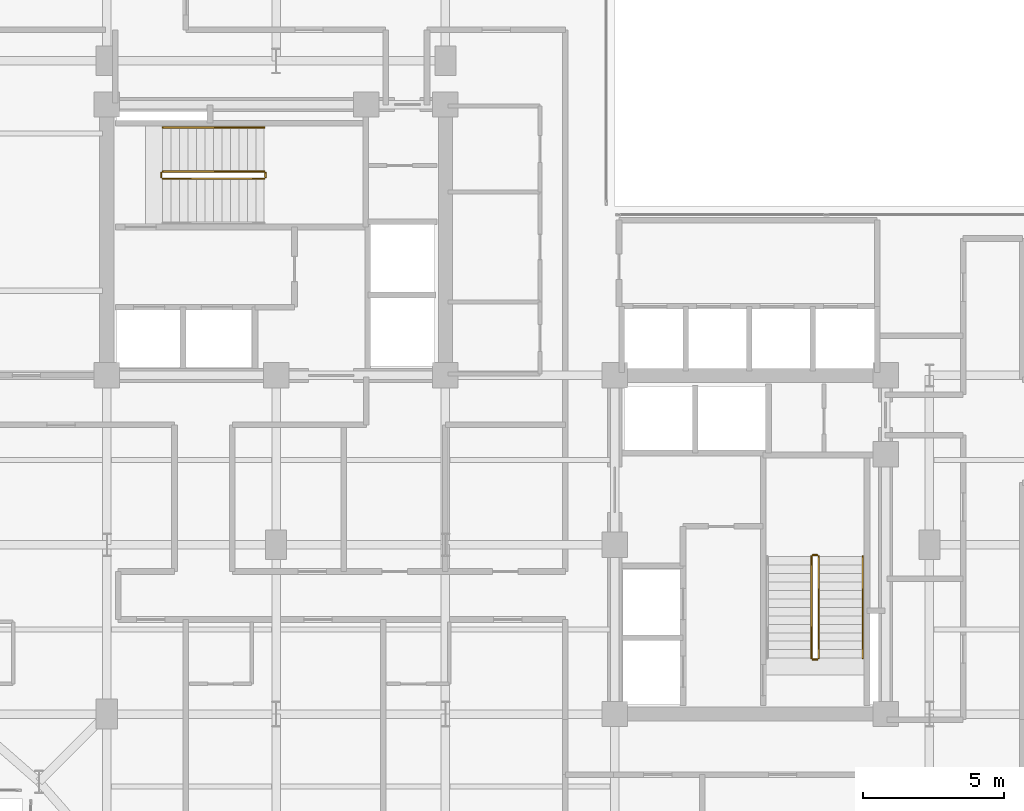
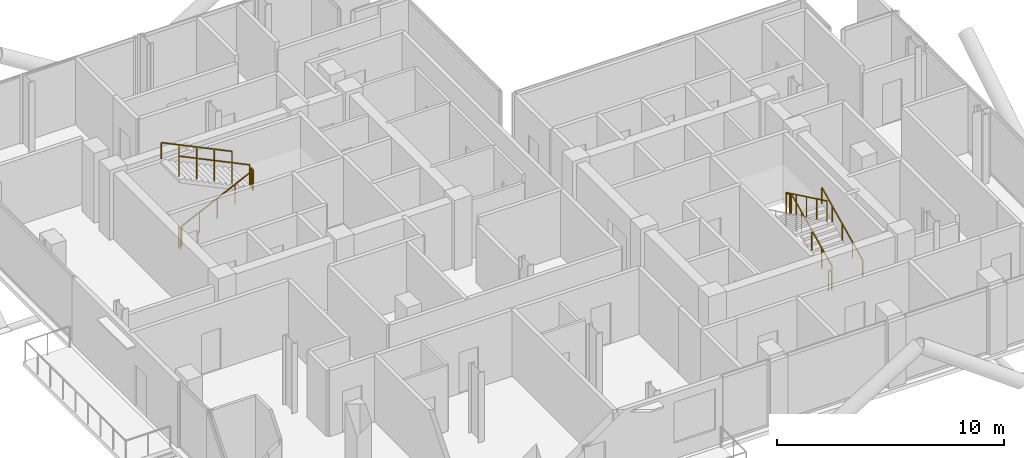
# One storey, part 22 of 22: 10 railings.
"""IFC4 building model written with IfcOpenShell, lengths in metres."""

from ifc_helpers import new_model, si_unit, direction, frame, origin, origin_2d, place, context, subcontext, project, spatial, rectangle, extrude, material, type_object, element, save


model = new_model("IFC4")

# Units and contexts
model_context = context("Model", 3, precision=1e-05, world=origin(), true_north=direction((0.0, 1.0)))
body_context = subcontext(model_context, "Body", "Model", "MODEL_VIEW")
ifc_project = project(units=[si_unit("LENGTHUNIT", "METRE"), si_unit("AREAUNIT", "SQUARE_METRE"), si_unit("VOLUMEUNIT", "CUBIC_METRE"), si_unit("PLANEANGLEUNIT", "RADIAN"), si_unit("MASSUNIT", "GRAM", prefix="KILO"), si_unit("THERMODYNAMICTEMPERATUREUNIT", "KELVIN"), si_unit("POWERUNIT", "WATT")], contexts=[model_context])

# Site, building, storey
site_placement = place(None, origin())
site = spatial("IfcSite", under=ifc_project, at=site_placement, CompositionType="ELEMENT")
building_placement = place(site_placement, origin())
building = spatial("IfcBuilding", under=site, at=building_placement, Name="Svarakhadi Broadcast Tower", CompositionType="ELEMENT")
storey_placement = place(building_placement, frame((0.0, 0.0, 176.699951171875)))
storey = spatial("IfcBuildingStorey", under=building, at=storey_placement, Name="L43", CompositionType="ELEMENT", Elevation=176.699951171875)

# Railings
ifc_material = material(Name="Anodised Bronze Aluminium AA 6063-T6", Category="aluminium")
railing_type_1 = type_object("IfcRailingType", Name="Guard_Stair_GR01", PredefinedType="GUARDRAIL", material=ifc_material)
railing_1_placement = place(storey_placement, frame((7.97998046875, 24.969970703125, 0.144287109375)))
element("IfcRailing", 1, at=railing_1_placement, inside=storey, type_object=railing_type_1, Name="L43 ST-01 stair guard 1", PredefinedType="GUARDRAIL", context=body_context, shape_type="SweptSolid", body=[
    extrude(rectangle(XDim=0.048095703125, YDim=0.048095703125, at=origin_2d()), frame((0.0, 0.0, 1.09619140625), z_axis=(0.901262522062, 0.0, 0.433273431364), x_axis=(0.0, 1.0, 0.0)), (0.0, 0.0, 1.0), 3.994384765625),
    extrude(rectangle(XDim=0.0419921875, YDim=0.0419921875, at=origin_2d()), origin(), (0.0, 0.0, 1.0), 1.072021484375),
    extrude(rectangle(XDim=0.0419921875, YDim=0.0419921875, at=origin_2d()), frame((0.89990234375, 0.0, 0.4326171875)), (0.0, 0.0, 1.0), 1.072021484375),
    extrude(rectangle(XDim=0.0419921875, YDim=0.0419921875, at=origin_2d()), frame((1.800048828125, 0.0, 0.865234375)), (0.0, 0.0, 1.0), 1.072021484375),
    extrude(rectangle(XDim=0.0419921875, YDim=0.0419921875, at=origin_2d()), frame((2.7001953125, 0.0, 1.298095703125)), (0.0, 0.0, 1.0), 1.072021484375),
    extrude(rectangle(XDim=0.0419921875, YDim=0.0419921875, at=origin_2d()), frame((3.60009765625, 0.0, 1.730712890625)), (0.0, 0.0, 1.0), 1.072021484375),
])
railing_2_placement = place(storey_placement, frame((11.6298828125, 25.02001953125, 1.875)))
element("IfcRailing", 2, at=railing_2_placement, inside=storey, type_object=railing_type_1, Name="L43 ST-01 stair guard 2", PredefinedType="GUARDRAIL", context=body_context, shape_type="SweptSolid", body=[
    extrude(rectangle(XDim=0.048095703125, YDim=0.048095703125, at=origin_2d()), frame((0.0, 0.0, 1.09619140625), z_axis=(0.0, 1.0, 0.0), x_axis=(-1.0, 0.0, 0.0)), (0.0, 0.0, 1.0), 0.159912109375),
    extrude(rectangle(XDim=0.0419921875, YDim=0.0419921875, at=origin_2d()), origin(), (0.0, 0.0, 1.0), 1.072021484375),
    extrude(rectangle(XDim=0.0419921875, YDim=0.0419921875, at=origin_2d()), frame((0.0, 0.159912109375, 0.0)), (0.0, 0.0, 1.0), 1.072021484375),
])
railing_3_placement = place(storey_placement, frame((11.580078125, 25.22998046875, 2.019287109375)))
element("IfcRailing", 3, at=railing_3_placement, inside=storey, type_object=railing_type_1, Name="L43 ST-01 stair guard 3", PredefinedType="GUARDRAIL", context=body_context, shape_type="SweptSolid", body=[
    extrude(rectangle(XDim=0.048095703125, YDim=0.048095703125, at=origin_2d()), frame((0.0, 0.0, 1.09619140625), z_axis=(-0.901262522062, 0.0, 0.433273431364), x_axis=(0.0, -1.0, 0.0)), (0.0, 0.0, 1.0), 3.994384765625),
    extrude(rectangle(XDim=0.0419921875, YDim=0.0419921875, at=origin_2d()), origin(), (0.0, 0.0, 1.0), 1.072021484375),
    extrude(rectangle(XDim=0.0419921875, YDim=0.0419921875, at=origin_2d()), frame((-0.89990234375, 0.0, 0.4326171875)), (0.0, 0.0, 1.0), 1.072021484375),
    extrude(rectangle(XDim=0.0419921875, YDim=0.0419921875, at=origin_2d()), frame((-1.800048828125, 0.0, 0.865234375)), (0.0, 0.0, 1.0), 1.072021484375),
    extrude(rectangle(XDim=0.0419921875, YDim=0.0419921875, at=origin_2d()), frame((-2.7001953125, 0.0, 1.298095703125)), (0.0, 0.0, 1.0), 1.072021484375),
    extrude(rectangle(XDim=0.0419921875, YDim=0.0419921875, at=origin_2d()), frame((-3.60009765625, 0.0, 1.730712890625)), (0.0, 0.0, 1.0), 1.072021484375),
])
railing_4_placement = place(storey_placement, frame((7.929931640625, 25.02001953125, 0.0)))
element("IfcRailing", 4, at=railing_4_placement, inside=storey, type_object=railing_type_1, Name="L43 ST-01 stair guard 4", PredefinedType="GUARDRAIL", context=body_context, shape_type="SweptSolid", body=[
    extrude(rectangle(XDim=0.048095703125, YDim=0.048095703125, at=origin_2d()), frame((0.0, 0.0, 1.09619140625), z_axis=(0.0, 1.0, 0.0), x_axis=(-1.0, 0.0, 0.0)), (0.0, 0.0, 1.0), 0.159912109375),
    extrude(rectangle(XDim=0.0419921875, YDim=0.0419921875, at=origin_2d()), origin(), (0.0, 0.0, 1.0), 1.072021484375),
    extrude(rectangle(XDim=0.0419921875, YDim=0.0419921875, at=origin_2d()), frame((0.0, 0.159912109375, 0.0)), (0.0, 0.0, 1.0), 1.072021484375),
])
railing_5_placement = place(storey_placement, frame((31.22998046875, 7.97998046875, 0.144287109375)))
element("IfcRailing", 5, at=railing_5_placement, inside=storey, type_object=railing_type_1, Name="L43 ST-02 stair guard 1", PredefinedType="GUARDRAIL", context=body_context, shape_type="SweptSolid", body=[
    extrude(rectangle(XDim=0.048095703125, YDim=0.048095703125, at=origin_2d()), frame((0.0, 0.0, 1.09619140625), z_axis=(0.0, 0.901262522062, 0.433273431364), x_axis=(-1.0, 0.0, 0.0)), (0.0, 0.0, 1.0), 3.994384765625),
    extrude(rectangle(XDim=0.0419921875, YDim=0.0419921875, at=origin_2d()), origin(), (0.0, 0.0, 1.0), 1.072021484375),
    extrude(rectangle(XDim=0.0419921875, YDim=0.0419921875, at=origin_2d()), frame((0.0, 0.89990234375, 0.4326171875)), (0.0, 0.0, 1.0), 1.072021484375),
    extrude(rectangle(XDim=0.0419921875, YDim=0.0419921875, at=origin_2d()), frame((0.0, 1.800048828125, 0.865234375)), (0.0, 0.0, 1.0), 1.072021484375),
    extrude(rectangle(XDim=0.0419921875, YDim=0.0419921875, at=origin_2d()), frame((0.0, 2.7001953125, 1.298095703125)), (0.0, 0.0, 1.0), 1.072021484375),
    extrude(rectangle(XDim=0.0419921875, YDim=0.0419921875, at=origin_2d()), frame((0.0, 3.60009765625, 1.730712890625)), (0.0, 0.0, 1.0), 1.072021484375),
])
railing_6_placement = place(storey_placement, frame((31.179931640625, 11.6298828125, 1.875)))
element("IfcRailing", 6, at=railing_6_placement, inside=storey, type_object=railing_type_1, Name="L43 ST-02 stair guard 2", PredefinedType="GUARDRAIL", context=body_context, shape_type="SweptSolid", body=[
    extrude(rectangle(XDim=0.048095703125, YDim=0.048095703125, at=origin_2d()), frame((0.0, 0.0, 1.09619140625), z_axis=(-1.0, 0.0, 0.0), x_axis=(0.0, -1.0, 0.0)), (0.0, 0.0, 1.0), 0.159912109375),
    extrude(rectangle(XDim=0.0419921875, YDim=0.0419921875, at=origin_2d()), origin(), (0.0, 0.0, 1.0), 1.072021484375),
    extrude(rectangle(XDim=0.0419921875, YDim=0.0419921875, at=origin_2d()), frame((-0.159912109375, 0.0, 0.0)), (0.0, 0.0, 1.0), 1.072021484375),
])
railing_7_placement = place(storey_placement, frame((30.969970703125, 11.580078125, 2.019287109375)))
element("IfcRailing", 7, at=railing_7_placement, inside=storey, type_object=railing_type_1, Name="L43 ST-02 stair guard 3", PredefinedType="GUARDRAIL", context=body_context, shape_type="SweptSolid", body=[
    extrude(rectangle(XDim=0.048095703125, YDim=0.048095703125, at=origin_2d()), frame((0.0, 0.0, 1.09619140625), z_axis=(0.0, -0.901262522062, 0.433273431364), x_axis=(1.0, 0.0, 0.0)), (0.0, 0.0, 1.0), 3.994384765625),
    extrude(rectangle(XDim=0.0419921875, YDim=0.0419921875, at=origin_2d()), origin(), (0.0, 0.0, 1.0), 1.072021484375),
    extrude(rectangle(XDim=0.0419921875, YDim=0.0419921875, at=origin_2d()), frame((0.0, -0.89990234375, 0.4326171875)), (0.0, 0.0, 1.0), 1.072021484375),
    extrude(rectangle(XDim=0.0419921875, YDim=0.0419921875, at=origin_2d()), frame((0.0, -1.800048828125, 0.865234375)), (0.0, 0.0, 1.0), 1.072021484375),
    extrude(rectangle(XDim=0.0419921875, YDim=0.0419921875, at=origin_2d()), frame((0.0, -2.7001953125, 1.298095703125)), (0.0, 0.0, 1.0), 1.072021484375),
    extrude(rectangle(XDim=0.0419921875, YDim=0.0419921875, at=origin_2d()), frame((0.0, -3.60009765625, 1.730712890625)), (0.0, 0.0, 1.0), 1.072021484375),
])
railing_8_placement = place(storey_placement, frame((31.179931640625, 7.929931640625, 0.0)))
element("IfcRailing", 8, at=railing_8_placement, inside=storey, type_object=railing_type_1, Name="L43 ST-02 stair guard 4", PredefinedType="GUARDRAIL", context=body_context, shape_type="SweptSolid", body=[
    extrude(rectangle(XDim=0.048095703125, YDim=0.048095703125, at=origin_2d()), frame((0.0, 0.0, 1.09619140625), z_axis=(-1.0, 0.0, 0.0), x_axis=(0.0, -1.0, 0.0)), (0.0, 0.0, 1.0), 0.159912109375),
    extrude(rectangle(XDim=0.0419921875, YDim=0.0419921875, at=origin_2d()), origin(), (0.0, 0.0, 1.0), 1.072021484375),
    extrude(rectangle(XDim=0.0419921875, YDim=0.0419921875, at=origin_2d()), frame((-0.159912109375, 0.0, 0.0)), (0.0, 0.0, 1.0), 1.072021484375),
])
railing_type_2 = type_object("IfcRailingType", Name="Handrail_Stair_HR01", PredefinedType="HANDRAIL", material=ifc_material)
railing_9_placement = place(storey_placement, frame((11.580078125, 26.7900390625, 2.019287109375)))
element("IfcRailing", 9, at=railing_9_placement, inside=storey, type_object=railing_type_2, Name="L43 ST-01 stair handrail 2", PredefinedType="HANDRAIL", context=body_context, shape_type="SweptSolid", body=[
    extrude(rectangle(XDim=0.048095703125, YDim=0.048095703125, at=origin_2d()), frame((0.0, 0.0, 0.8759765625), z_axis=(-0.901262522062, 0.0, 0.433273431364), x_axis=(0.0, -1.0, 0.0)), (0.0, 0.0, 1.0), 3.994384765625),
    extrude(rectangle(XDim=0.0419921875, YDim=0.0419921875, at=origin_2d()), origin(), (0.0, 0.0, 1.0), 0.851806640625),
    extrude(rectangle(XDim=0.0419921875, YDim=0.0419921875, at=origin_2d()), frame((-0.89990234375, 0.0, 0.4326171875)), (0.0, 0.0, 1.0), 0.851806640625),
    extrude(rectangle(XDim=0.0419921875, YDim=0.0419921875, at=origin_2d()), frame((-1.800048828125, 0.0, 0.865234375)), (0.0, 0.0, 1.0), 0.851806640625),
    extrude(rectangle(XDim=0.0419921875, YDim=0.0419921875, at=origin_2d()), frame((-2.7001953125, 0.0, 1.298095703125)), (0.0, 0.0, 1.0), 0.851806640625),
    extrude(rectangle(XDim=0.0419921875, YDim=0.0419921875, at=origin_2d()), frame((-3.60009765625, 0.0, 1.730712890625)), (0.0, 0.0, 1.0), 0.851806640625),
])
railing_10_placement = place(storey_placement, frame((32.7900390625, 7.97998046875, 0.144287109375)))
element("IfcRailing", 10, at=railing_10_placement, inside=storey, type_object=railing_type_2, Name="L43 ST-02 stair handrail 1", PredefinedType="HANDRAIL", context=body_context, shape_type="SweptSolid", body=[
    extrude(rectangle(XDim=0.048095703125, YDim=0.048095703125, at=origin_2d()), frame((0.0, 0.0, 0.8759765625), z_axis=(0.0, 0.901262522062, 0.433273431364), x_axis=(-1.0, 0.0, 0.0)), (0.0, 0.0, 1.0), 3.994384765625),
    extrude(rectangle(XDim=0.0419921875, YDim=0.0419921875, at=origin_2d()), origin(), (0.0, 0.0, 1.0), 0.851806640625),
    extrude(rectangle(XDim=0.0419921875, YDim=0.0419921875, at=origin_2d()), frame((0.0, 0.89990234375, 0.4326171875)), (0.0, 0.0, 1.0), 0.851806640625),
    extrude(rectangle(XDim=0.0419921875, YDim=0.0419921875, at=origin_2d()), frame((0.0, 1.800048828125, 0.865234375)), (0.0, 0.0, 1.0), 0.851806640625),
    extrude(rectangle(XDim=0.0419921875, YDim=0.0419921875, at=origin_2d()), frame((0.0, 2.7001953125, 1.298095703125)), (0.0, 0.0, 1.0), 0.851806640625),
    extrude(rectangle(XDim=0.0419921875, YDim=0.0419921875, at=origin_2d()), frame((0.0, 3.60009765625, 1.730712890625)), (0.0, 0.0, 1.0), 0.851806640625),
])

save(model, "model.ifc")
